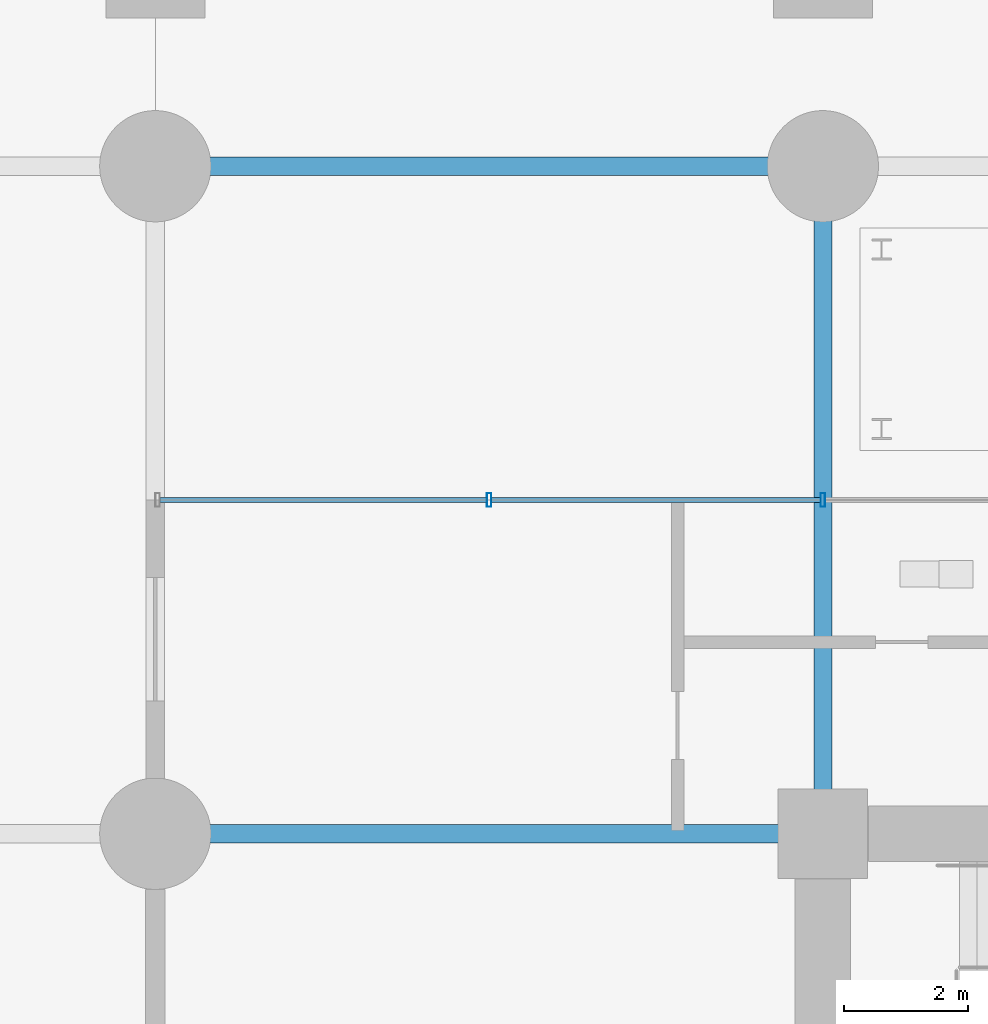
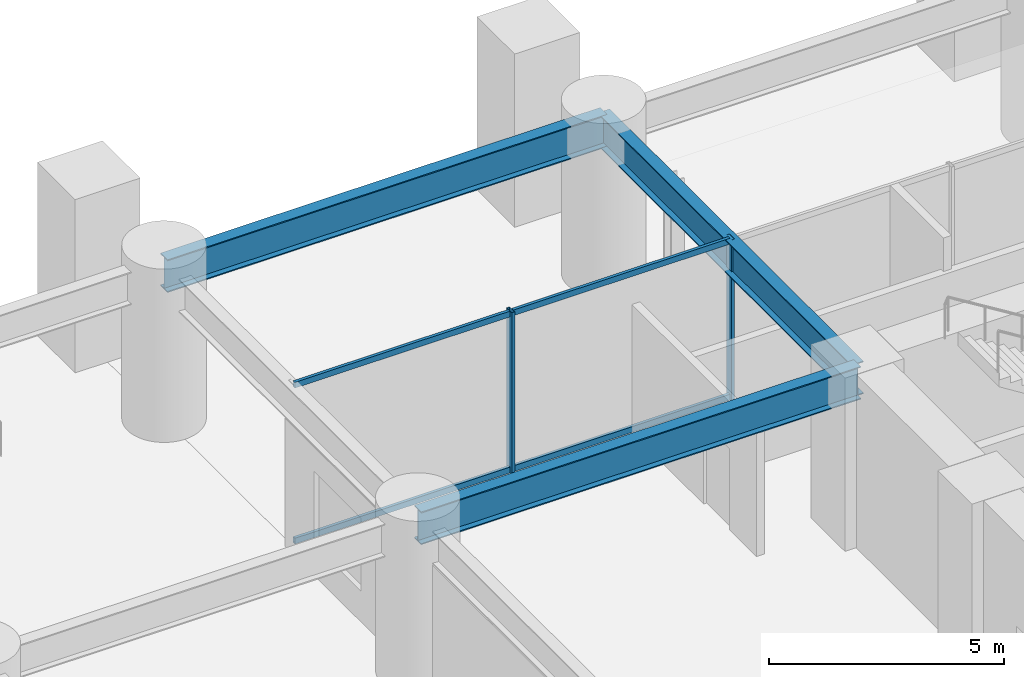
# One storey, part 14 of 29: 6 members, 3 beams, 1 element without a shape of its own.
"""IFC4 building model written with IfcOpenShell, lengths in metres."""

from ifc_helpers import new_model, si_unit, direction, frame, origin, origin_2d, place, context, subcontext, project, spatial, hollow_rectangle, i_section, extrude, material, layer, layer_set, material_profile, profile_set, type_object, element, aggregate, save


model = new_model("IFC4")

# Units and contexts
model_context = context("Model", 3, precision=1e-05, world=origin(), true_north=direction((0.0, 1.0)))
body_context = subcontext(model_context, "Body", "Model", "MODEL_VIEW")
ifc_project = project(units=[si_unit("LENGTHUNIT", "METRE"), si_unit("AREAUNIT", "SQUARE_METRE"), si_unit("VOLUMEUNIT", "CUBIC_METRE"), si_unit("PLANEANGLEUNIT", "RADIAN"), si_unit("MASSUNIT", "GRAM", prefix="KILO")], contexts=[model_context])

# Site, building, storey
site_placement = place(None, origin())
site = spatial("IfcSite", under=ifc_project, at=site_placement, CompositionType="ELEMENT")
building_placement = place(site_placement, origin())
building = spatial("IfcBuilding", under=site, at=building_placement, Name="Surkhivell Harbour Commons", CompositionType="ELEMENT")
storey_placement = place(building_placement, origin())
storey = spatial("IfcBuildingStorey", under=building, at=storey_placement, Name="L00", CompositionType="ELEMENT", Elevation=0.0)

# Beams
ifc_material_1 = material(Name="Steel S460", Category="steel")
ifc_material_profile_1 = material_profile(ifc_material_1, i_section(OverallWidth=0.2939453125, OverallDepth=0.85107421875, WebThickness=0.01611328125, FlangeThickness=0.02685546875, at=origin_2d()), Name="UB838x292x226")
ifc_profile_set_1 = profile_set([ifc_material_profile_1], Name="Steel S460")
beam_type = type_object("IfcBeamType", Name="BM-SPN-838", PredefinedType="SPANDREL", material=ifc_profile_set_1)
for number, where, z_axis, x_axis, name in (
    (1, (-21.60009765625, 10.800048828125, 3.7744140625), (1.0, 0.0, 0.0), (0.0, 1.0, 0.0), "L00 Framing Beam (-21.6,10.8)"),
    (2, (-21.60009765625, 21.60009765625, 3.7744140625), (1.0, 0.0, 0.0), (0.0, 1.0, 0.0), "L00 Framing Beam (-21.6,21.6)"),
    (3, (-10.800048828125, 10.800048828125, 3.7744140625), (0.0, 1.0, 0.0), (-1.0, 0.0, 0.0), "L00 Framing Beam (-10.8,10.8)"),
):
    element("IfcBeam", number, at=place(storey_placement, frame(where, z_axis=z_axis, x_axis=x_axis)), inside=storey, type_object=beam_type, Name=name, PredefinedType="SPANDREL", context=body_context, shape_type="SweptSolid", body=[
        extrude(i_section(OverallWidth=0.2939453125, OverallDepth=0.85107421875, WebThickness=0.01611328125, FlangeThickness=0.02685546875, at=origin_2d()), origin(), (0.0, 0.0, 1.0), 10.800048828125),
    ])

# Curtain wall, members
ifc_material_2 = material(Name="Anodised pale-metal aluminium and insulated glazing", Category="aluminium")
ifc_layer = layer(ifc_material_2, 0.239990234375)
ifc_layer_set = layer_set([ifc_layer], Name="Anodised pale-metal aluminium and insulated glazing")
curtain_wall_type = type_object("IfcCurtainWallType", Name="CW-SYS-POD", PredefinedType="NOTDEFINED", material=ifc_layer_set)
curtain_wall_placement = place(storey_placement, origin())
curtain_wall = element("IfcCurtainWall", 4, at=curtain_wall_placement, inside=storey, type_object=curtain_wall_type, Name="L00 Curtain Wall CW-L00-P03", PredefinedType="NOTDEFINED")
ifc_material_3 = material(Name="Anodised pale-metal aluminium alloy 6063-T6", Category="aluminium")
ifc_material_profile_2 = material_profile(ifc_material_3, hollow_rectangle(XDim=0.074951171875, YDim=0.219970703125, WallThickness=0.00390625, at=origin_2d()), Name="ALU-MULL-75x220")
ifc_profile_set_2 = profile_set([ifc_material_profile_2], Name="Anodised pale-metal aluminium alloy 6063-T6")
member_type_1 = type_object("IfcMemberType", Name="CWM-220", PredefinedType="MULLION", material=ifc_profile_set_2)
member_1_placement = place(storey_placement, frame((-16.199951171875, 16.199951171875, 0.0), z_axis=(0.0, 0.0, 1.0), x_axis=(1.0, 0.0, 0.0)))
member_1 = element("IfcMember", 5, at=member_1_placement, type_object=member_type_1, Name="CW-POD mullion 2", PredefinedType="MULLION", context=body_context, shape_type="SweptSolid", body=[
    extrude(hollow_rectangle(XDim=0.074951171875, YDim=0.219970703125, WallThickness=0.00390625, at=origin_2d()), origin(), (0.0, 0.0, 1.0), 4.199951171875),
])
member_2_placement = place(storey_placement, frame((-10.800048828125, 16.199951171875, 0.0), z_axis=(0.0, 0.0, 1.0), x_axis=(1.0, 0.0, 0.0)))
member_2 = element("IfcMember", 6, at=member_2_placement, type_object=member_type_1, Name="CW-POD mullion 3", PredefinedType="MULLION", context=body_context, shape_type="SweptSolid", body=[
    extrude(hollow_rectangle(XDim=0.074951171875, YDim=0.219970703125, WallThickness=0.00390625, at=origin_2d()), origin(), (0.0, 0.0, 1.0), 4.199951171875),
])
ifc_material_profile_3 = material_profile(ifc_material_3, hollow_rectangle(XDim=0.074951171875, YDim=0.14990234375, WallThickness=0.00341796875, at=origin_2d()), Name="ALU-TRAN-75x150")
ifc_profile_set_3 = profile_set([ifc_material_profile_3], Name="Anodised pale-metal aluminium alloy 6063-T6")
member_type_2 = type_object("IfcMemberType", Name="CWT-150", PredefinedType="USERDEFINED", material=ifc_profile_set_3)
member_3_placement = place(storey_placement, frame((-21.52490234375, 16.199951171875, 0.074951171875), z_axis=(1.0, 0.0, 0.0), x_axis=(0.0, 1.0, 0.0)))
member_3 = element("IfcMember", 7, at=member_3_placement, type_object=member_type_2, Name="CW-POD transom 1.1", ObjectType="TRANSOM", PredefinedType="USERDEFINED", context=body_context, shape_type="SweptSolid", body=[
    extrude(hollow_rectangle(XDim=0.074951171875, YDim=0.14990234375, WallThickness=0.00341796875, at=origin_2d()), origin(), (0.0, 0.0, 1.0), 5.287353515625),
])
member_4_placement = place(storey_placement, frame((-21.52490234375, 16.199951171875, 4.125), z_axis=(1.0, 0.0, 0.0), x_axis=(0.0, 1.0, 0.0)))
member_4 = element("IfcMember", 8, at=member_4_placement, type_object=member_type_2, Name="CW-POD transom 1.2", ObjectType="TRANSOM", PredefinedType="USERDEFINED", context=body_context, shape_type="SweptSolid", body=[
    extrude(hollow_rectangle(XDim=0.074951171875, YDim=0.14990234375, WallThickness=0.00341796875, at=origin_2d()), origin(), (0.0, 0.0, 1.0), 5.287353515625),
])
member_5_placement = place(storey_placement, frame((-16.16259765625, 16.199951171875, 0.074951171875), z_axis=(1.0, 0.0, 0.0), x_axis=(0.0, 1.0, 0.0)))
member_5 = element("IfcMember", 9, at=member_5_placement, type_object=member_type_2, Name="CW-POD transom 2.1", ObjectType="TRANSOM", PredefinedType="USERDEFINED", context=body_context, shape_type="SweptSolid", body=[
    extrude(hollow_rectangle(XDim=0.074951171875, YDim=0.14990234375, WallThickness=0.00341796875, at=origin_2d()), origin(), (0.0, 0.0, 1.0), 5.3251953125),
])
member_6_placement = place(storey_placement, frame((-16.16259765625, 16.199951171875, 4.125), z_axis=(1.0, 0.0, 0.0), x_axis=(0.0, 1.0, 0.0)))
member_6 = element("IfcMember", 10, at=member_6_placement, type_object=member_type_2, Name="CW-POD transom 2.2", ObjectType="TRANSOM", PredefinedType="USERDEFINED", context=body_context, shape_type="SweptSolid", body=[
    extrude(hollow_rectangle(XDim=0.074951171875, YDim=0.14990234375, WallThickness=0.00341796875, at=origin_2d()), origin(), (0.0, 0.0, 1.0), 5.3251953125),
])
aggregate(curtain_wall, [member_1, member_2, member_3, member_4, member_5, member_6])

save(model, "model.ifc")
